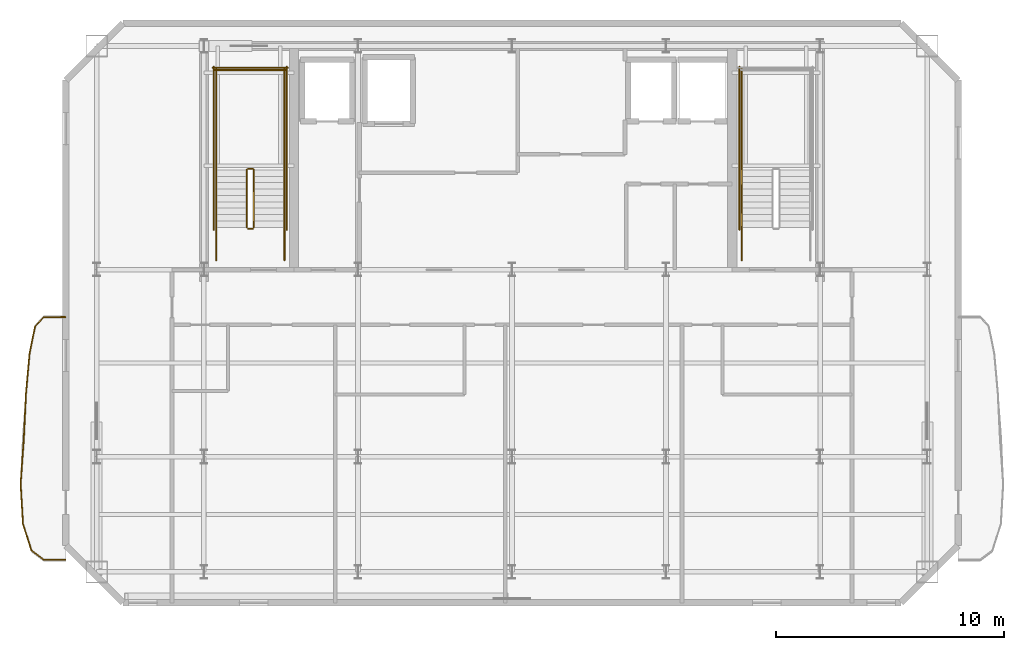
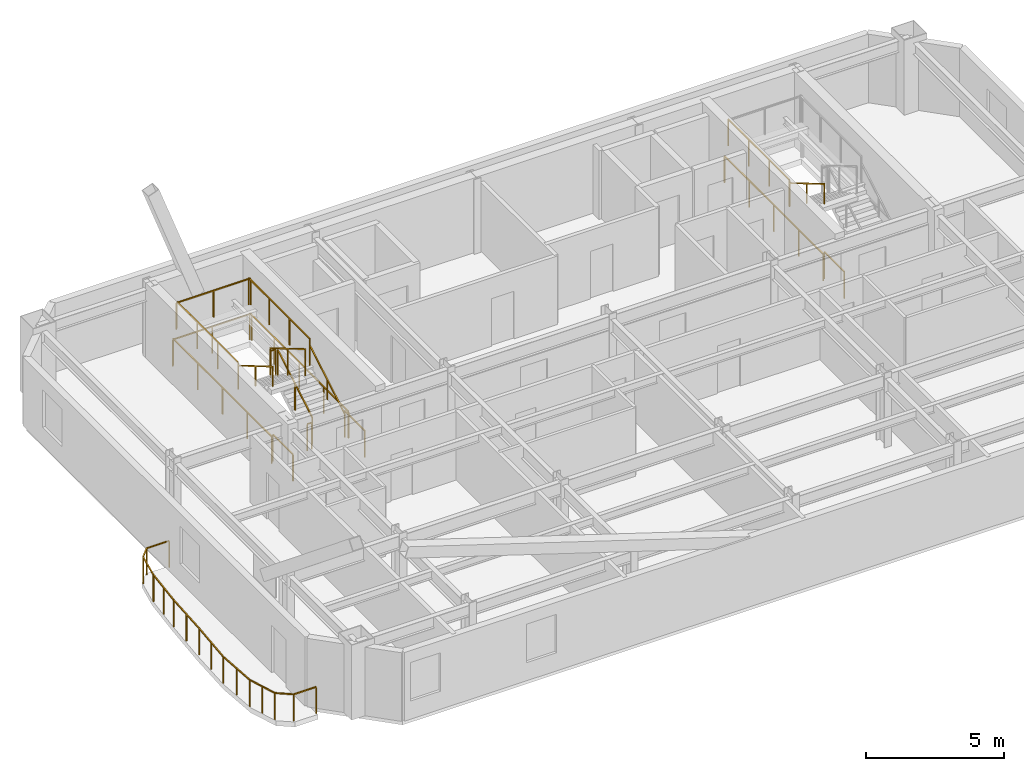
# One storey, part 5 of 6: 28 railings.
"""IFC4 building model written with IfcOpenShell, lengths in metres."""

from ifc_helpers import new_model, si_unit, direction, frame, origin, origin_2d, place, context, subcontext, project, spatial, rectangle, extrude, material, type_object, element, save


model = new_model("IFC4")

# Units and contexts
model_context = context("Model", 3, precision=1e-05, world=origin(), true_north=direction((0.0, 1.0)))
body_context = subcontext(model_context, "Body", "Model", "MODEL_VIEW")
ifc_project = project(units=[si_unit("LENGTHUNIT", "METRE"), si_unit("AREAUNIT", "SQUARE_METRE"), si_unit("VOLUMEUNIT", "CUBIC_METRE"), si_unit("PLANEANGLEUNIT", "RADIAN"), si_unit("MASSUNIT", "GRAM", prefix="KILO")], contexts=[model_context])

# Site, building, storey
site_placement = place(None, origin())
site = spatial("IfcSite", under=ifc_project, at=site_placement, CompositionType="ELEMENT")
building_placement = place(site_placement, origin())
building = spatial("IfcBuilding", under=site, at=building_placement, Name="Haevon Station Towers", CompositionType="ELEMENT")
storey_placement = place(building_placement, frame((0.0, 0.0, 262.5)))
storey = spatial("IfcBuildingStorey", under=building, at=storey_placement, Name="L73", CompositionType="ELEMENT", Elevation=262.5)

# Railings
ifc_material = material(Name="Steel S355", Category="steel")
railing_type_1 = type_object("IfcRailingType", Name="GRD-EXT1200", PredefinedType="GUARDRAIL", material=ifc_material)
railing_1_placement = place(storey_placement, frame((17.9267578125, 36.1220703125, 0.0)))
element("IfcRailing", 1, at=railing_1_placement, inside=storey, type_object=railing_type_1, Name="L73 Perimeter Guardrail 1", PredefinedType="GUARDRAIL", context=body_context, shape_type="SweptSolid", body=[
    extrude(rectangle(XDim=0.048095703125, YDim=0.048095703125, at=origin_2d()), frame((0.0, 0.0, 1.17578125), z_axis=(-0.999997857851, -0.002069853263, 0.0), x_axis=(0.002069853263, -0.999997857851, 0.0)), (0.0, 0.0, 1.0), 0.943603515625),
    extrude(rectangle(XDim=0.0419921875, YDim=0.0419921875, at=origin_2d()), origin(), (0.0, 0.0, 1.0), 1.15185546875),
    extrude(rectangle(XDim=0.0419921875, YDim=0.0419921875, at=origin_2d()), frame((-0.943603515625, -0.001953125, 0.0)), (0.0, 0.0, 1.0), 1.15185546875),
])
railing_2_placement = place(storey_placement, frame((16.983154296875, 36.1201171875, 0.0)))
element("IfcRailing", 2, at=railing_2_placement, inside=storey, type_object=railing_type_1, Name="L73 Perimeter Guardrail 2", PredefinedType="GUARDRAIL", context=body_context, shape_type="SweptSolid", body=[
    extrude(rectangle(XDim=0.048095703125, YDim=0.048095703125, at=origin_2d()), frame((0.0, 0.0, 1.17578125), z_axis=(-0.68353731977, -0.72991556531, 0.0), x_axis=(0.72991556531, -0.68353731977, 0.0)), (0.0, 0.0, 1.0), 0.563232421875),
    extrude(rectangle(XDim=0.0419921875, YDim=0.0419921875, at=origin_2d()), origin(), (0.0, 0.0, 1.0), 1.15185546875),
    extrude(rectangle(XDim=0.0419921875, YDim=0.0419921875, at=origin_2d()), frame((-0.385009765625, -0.4111328125, 0.0)), (0.0, 0.0, 1.0), 1.15185546875),
])
railing_3_placement = place(storey_placement, frame((16.59814453125, 35.708984375, 0.0)))
element("IfcRailing", 3, at=railing_3_placement, inside=storey, type_object=railing_type_1, Name="L73 Perimeter Guardrail 3", PredefinedType="GUARDRAIL", context=body_context, shape_type="SweptSolid", body=[
    extrude(rectangle(XDim=0.048095703125, YDim=0.048095703125, at=origin_2d()), frame((0.0, 0.0, 1.17578125), z_axis=(-0.201456907622, -0.97949737844, 0.0), x_axis=(0.97949737844, -0.201456907622, 0.0)), (0.0, 0.0, 1.0), 1.19482421875),
    extrude(rectangle(XDim=0.0419921875, YDim=0.0419921875, at=origin_2d()), origin(), (0.0, 0.0, 1.0), 1.15185546875),
    extrude(rectangle(XDim=0.0419921875, YDim=0.0419921875, at=origin_2d()), frame((-0.24072265625, -1.17041015625, 0.0)), (0.0, 0.0, 1.0), 1.15185546875),
])
railing_4_placement = place(storey_placement, frame((16.357421875, 34.53857421875, 0.0)))
element("IfcRailing", 4, at=railing_4_placement, inside=storey, type_object=railing_type_1, Name="L73 Perimeter Guardrail 4", PredefinedType="GUARDRAIL", context=body_context, shape_type="SweptSolid", body=[
    extrude(rectangle(XDim=0.048095703125, YDim=0.048095703125, at=origin_2d()), frame((0.0, 0.0, 1.17578125), z_axis=(-0.090184923828, -0.995925037096, 0.0), x_axis=(0.995925037096, -0.090184923828, 0.0)), (0.0, 0.0, 1.0), 1.7568359375),
    extrude(rectangle(XDim=0.0419921875, YDim=0.0419921875, at=origin_2d()), origin(), (0.0, 0.0, 1.0), 1.15185546875),
    extrude(rectangle(XDim=0.0419921875, YDim=0.0419921875, at=origin_2d()), frame((-0.0791015625, -0.875, 0.0)), (0.0, 0.0, 1.0), 1.15185546875),
    extrude(rectangle(XDim=0.0419921875, YDim=0.0419921875, at=origin_2d()), frame((-0.158447265625, -1.749755859375, 0.0)), (0.0, 0.0, 1.0), 1.15185546875),
])
railing_5_placement = place(storey_placement, frame((16.198974609375, 32.788818359375, 0.0)))
element("IfcRailing", 5, at=railing_5_placement, inside=storey, type_object=railing_type_1, Name="L73 Perimeter Guardrail 5", PredefinedType="GUARDRAIL", context=body_context, shape_type="SweptSolid", body=[
    extrude(rectangle(XDim=0.048095703125, YDim=0.048095703125, at=origin_2d()), frame((0.0, 0.0, 1.17578125), z_axis=(-0.047454457012, -0.998873402644, 0.0), x_axis=(0.998873402644, -0.047454457012, 0.0)), (0.0, 0.0, 1.0), 1.990966796875),
    extrude(rectangle(XDim=0.0419921875, YDim=0.0419921875, at=origin_2d()), origin(), (0.0, 0.0, 1.0), 1.15185546875),
    extrude(rectangle(XDim=0.0419921875, YDim=0.0419921875, at=origin_2d()), frame((-0.04736328125, -0.994384765625, 0.0)), (0.0, 0.0, 1.0), 1.15185546875),
    extrude(rectangle(XDim=0.0419921875, YDim=0.0419921875, at=origin_2d()), frame((-0.094482421875, -1.98876953125, 0.0)), (0.0, 0.0, 1.0), 1.15185546875),
])
railing_6_placement = place(storey_placement, frame((16.1044921875, 30.800048828125, 0.0)))
element("IfcRailing", 6, at=railing_6_placement, inside=storey, type_object=railing_type_1, Name="L73 Perimeter Guardrail 6", PredefinedType="GUARDRAIL", context=body_context, shape_type="SweptSolid", body=[
    extrude(rectangle(XDim=0.048095703125, YDim=0.048095703125, at=origin_2d()), frame((0.0, 0.0, 1.17578125), z_axis=(-0.070082284887, -0.997541213858, 0.0), x_axis=(0.997541213858, -0.070082284887, 0.0)), (0.0, 0.0, 1.0), 1.99609375),
    extrude(rectangle(XDim=0.0419921875, YDim=0.0419921875, at=origin_2d()), origin(), (0.0, 0.0, 1.0), 1.15185546875),
    extrude(rectangle(XDim=0.0419921875, YDim=0.0419921875, at=origin_2d()), frame((-0.06982421875, -0.99560546875, 0.0)), (0.0, 0.0, 1.0), 1.15185546875),
    extrude(rectangle(XDim=0.0419921875, YDim=0.0419921875, at=origin_2d()), frame((-0.139892578125, -1.9912109375, 0.0)), (0.0, 0.0, 1.0), 1.15185546875),
])
railing_7_placement = place(storey_placement, frame((15.964599609375, 28.808837890625, 0.0)))
element("IfcRailing", 7, at=railing_7_placement, inside=storey, type_object=railing_type_1, Name="L73 Perimeter Guardrail 7", PredefinedType="GUARDRAIL", context=body_context, shape_type="SweptSolid", body=[
    extrude(rectangle(XDim=0.048095703125, YDim=0.048095703125, at=origin_2d()), frame((0.0, 0.0, 1.17578125), z_axis=(0.057716779897, -0.99833299721, 0.0), x_axis=(0.99833299721, 0.057716779897, 0.0)), (0.0, 0.0, 1.0), 1.751220703125),
    extrude(rectangle(XDim=0.0419921875, YDim=0.0419921875, at=origin_2d()), origin(), (0.0, 0.0, 1.0), 1.15185546875),
    extrude(rectangle(XDim=0.0419921875, YDim=0.0419921875, at=origin_2d()), frame((0.050537109375, -0.8740234375, 0.0)), (0.0, 0.0, 1.0), 1.15185546875),
    extrude(rectangle(XDim=0.0419921875, YDim=0.0419921875, at=origin_2d()), frame((0.10107421875, -1.748291015625, 0.0)), (0.0, 0.0, 1.0), 1.15185546875),
])
railing_8_placement = place(storey_placement, frame((16.065673828125, 27.060546875, 0.0)))
element("IfcRailing", 8, at=railing_8_placement, inside=storey, type_object=railing_type_1, Name="L73 Perimeter Guardrail 8", PredefinedType="GUARDRAIL", context=body_context, shape_type="SweptSolid", body=[
    extrude(rectangle(XDim=0.048095703125, YDim=0.048095703125, at=origin_2d()), frame((0.0, 0.0, 1.17578125), z_axis=(0.303310377939, -0.952891816858, 0.0), x_axis=(0.952891816858, 0.303310377939, 0.0)), (0.0, 0.0, 1.0), 1.2275390625),
    extrude(rectangle(XDim=0.0419921875, YDim=0.0419921875, at=origin_2d()), origin(), (0.0, 0.0, 1.0), 1.15185546875),
    extrude(rectangle(XDim=0.0419921875, YDim=0.0419921875, at=origin_2d()), frame((0.18603515625, -0.5849609375, 0.0)), (0.0, 0.0, 1.0), 1.15185546875),
    extrude(rectangle(XDim=0.0419921875, YDim=0.0419921875, at=origin_2d()), frame((0.372314453125, -1.169677734375, 0.0)), (0.0, 0.0, 1.0), 1.15185546875),
])
railing_9_placement = place(storey_placement, frame((16.43798828125, 25.890869140625, 0.0)))
element("IfcRailing", 9, at=railing_9_placement, inside=storey, type_object=railing_type_1, Name="L73 Perimeter Guardrail 9", PredefinedType="GUARDRAIL", context=body_context, shape_type="SweptSolid", body=[
    extrude(rectangle(XDim=0.048095703125, YDim=0.048095703125, at=origin_2d()), frame((0.0, 0.0, 1.17578125), z_axis=(0.79858156775, -0.601886600324, 0.0), x_axis=(0.601886600324, 0.79858156775, 0.0)), (0.0, 0.0, 1.0), 0.6826171875),
    extrude(rectangle(XDim=0.0419921875, YDim=0.0419921875, at=origin_2d()), origin(), (0.0, 0.0, 1.0), 1.15185546875),
    extrude(rectangle(XDim=0.0419921875, YDim=0.0419921875, at=origin_2d()), frame((0.545166015625, -0.410888671875, 0.0)), (0.0, 0.0, 1.0), 1.15185546875),
])
railing_10_placement = place(storey_placement, frame((16.983154296875, 25.47998046875, 0.0)))
element("IfcRailing", 10, at=railing_10_placement, inside=storey, type_object=railing_type_1, Name="L73 Perimeter Guardrail 10", PredefinedType="GUARDRAIL", context=body_context, shape_type="SweptSolid", body=[
    extrude(rectangle(XDim=0.048095703125, YDim=0.048095703125, at=origin_2d()), frame((0.0, 0.0, 1.17578125), z_axis=(0.999997288846, -0.002328583596, 0.0), x_axis=(0.002328583596, 0.999997288846, 0.0)), (0.0, 0.0, 1.0), 0.943603515625),
    extrude(rectangle(XDim=0.0419921875, YDim=0.0419921875, at=origin_2d()), origin(), (0.0, 0.0, 1.0), 1.15185546875),
    extrude(rectangle(XDim=0.0419921875, YDim=0.0419921875, at=origin_2d()), frame((0.943603515625, -0.002197265625, 0.0)), (0.0, 0.0, 1.0), 1.15185546875),
])
railing_type_2 = type_object("IfcRailingType", Name="GRD-STR1200", PredefinedType="GUARDRAIL", material=ifc_material)
railing_11_placement = place(storey_placement, frame((26.179931640625, 40.050048828125, 0.1650390625)))
element("IfcRailing", 11, at=railing_11_placement, inside=storey, type_object=railing_type_2, Name="L73 ST1 Stair Guard 1", PredefinedType="GUARDRAIL", context=body_context, shape_type="SweptSolid", body=[
    extrude(rectangle(XDim=0.048095703125, YDim=0.048095703125, at=origin_2d()), frame((0.0, 0.0, 1.17578125), z_axis=(0.0, 0.861560626758, 0.507654692109), x_axis=(-1.0, 0.0, 0.0)), (0.0, 0.0, 1.0), 2.925048828125),
    extrude(rectangle(XDim=0.0419921875, YDim=0.0419921875, at=origin_2d()), origin(), (0.0, 0.0, 1.0), 1.15185546875),
    extrude(rectangle(XDim=0.0419921875, YDim=0.0419921875, at=origin_2d()), frame((0.0, 1.260009765625, 0.742431640625)), (0.0, 0.0, 1.0), 1.15185546875),
    extrude(rectangle(XDim=0.0419921875, YDim=0.0419921875, at=origin_2d()), frame((0.0, 2.52001953125, 1.48486328125)), (0.0, 0.0, 1.0), 1.15185546875),
])
railing_12_placement = place(storey_placement, frame((26.1298828125, 42.6201171875, 1.64990234375)))
element("IfcRailing", 12, at=railing_12_placement, inside=storey, type_object=railing_type_2, Name="L73 ST1 Stair Guard 2", PredefinedType="GUARDRAIL", context=body_context, shape_type="SweptSolid", body=[
    extrude(rectangle(XDim=0.048095703125, YDim=0.048095703125, at=origin_2d()), frame((0.0, 0.0, 1.17578125), z_axis=(-1.0, 0.0, 0.0), x_axis=(0.0, -1.0, 0.0)), (0.0, 0.0, 1.0), 0.199951171875),
    extrude(rectangle(XDim=0.0419921875, YDim=0.0419921875, at=origin_2d()), origin(), (0.0, 0.0, 1.0), 1.15185546875),
    extrude(rectangle(XDim=0.0419921875, YDim=0.0419921875, at=origin_2d()), frame((-0.199951171875, 0.0, 0.0)), (0.0, 0.0, 1.0), 1.15185546875),
])
for number, where, name in (
    (13, (27.530029296875, 42.570068359375, 1.64990234375), "L73 ST1 Stair Guard 3"),
    (14, (24.530029296875, 42.570068359375, 1.64990234375), "L73 ST1 Stair Guard 4"),
):
    element("IfcRailing", number, at=place(storey_placement, frame(where)), inside=storey, type_object=railing_type_2, Name=name, PredefinedType="GUARDRAIL", context=body_context, shape_type="SweptSolid", body=[
        extrude(rectangle(XDim=0.048095703125, YDim=0.048095703125, at=origin_2d()), frame((0.0, 0.0, 1.17578125), z_axis=(0.0, 1.0, 0.0), x_axis=(-1.0, 0.0, 0.0)), (0.0, 0.0, 1.0), 4.429931640625),
        extrude(rectangle(XDim=0.0419921875, YDim=0.0419921875, at=origin_2d()), origin(), (0.0, 0.0, 1.0), 1.15185546875),
        extrude(rectangle(XDim=0.0419921875, YDim=0.0419921875, at=origin_2d()), frame((0.0, 1.4765625, 0.0)), (0.0, 0.0, 1.0), 1.15185546875),
        extrude(rectangle(XDim=0.0419921875, YDim=0.0419921875, at=origin_2d()), frame((0.0, 2.953369140625, 0.0)), (0.0, 0.0, 1.0), 1.15185546875),
        extrude(rectangle(XDim=0.0419921875, YDim=0.0419921875, at=origin_2d()), frame((0.0, 4.429931640625, 0.0)), (0.0, 0.0, 1.0), 1.15185546875),
    ])
railing_13_placement = place(storey_placement, frame((27.580078125, 46.949951171875, 1.64990234375)))
element("IfcRailing", 15, at=railing_13_placement, inside=storey, type_object=railing_type_2, Name="L73 ST1 Stair Guard 5", PredefinedType="GUARDRAIL", context=body_context, shape_type="SweptSolid", body=[
    extrude(rectangle(XDim=0.048095703125, YDim=0.048095703125, at=origin_2d()), frame((0.0, 0.0, 1.17578125), z_axis=(-1.0, 0.0, 0.0), x_axis=(0.0, -1.0, 0.0)), (0.0, 0.0, 1.0), 3.10009765625),
    extrude(rectangle(XDim=0.0419921875, YDim=0.0419921875, at=origin_2d()), origin(), (0.0, 0.0, 1.0), 1.15185546875),
    extrude(rectangle(XDim=0.0419921875, YDim=0.0419921875, at=origin_2d()), frame((-1.550048828125, 0.0, 0.0)), (0.0, 0.0, 1.0), 1.15185546875),
    extrude(rectangle(XDim=0.0419921875, YDim=0.0419921875, at=origin_2d()), frame((-3.10009765625, 0.0, 0.0)), (0.0, 0.0, 1.0), 1.15185546875),
])
railing_14_placement = place(storey_placement, frame((25.8798828125, 42.570068359375, 1.81494140625)))
element("IfcRailing", 16, at=railing_14_placement, inside=storey, type_object=railing_type_2, Name="L73 ST1 Stair Guard 6", PredefinedType="GUARDRAIL", context=body_context, shape_type="SweptSolid", body=[
    extrude(rectangle(XDim=0.048095703125, YDim=0.048095703125, at=origin_2d()), frame((0.0, 0.0, 1.17578125), z_axis=(0.0, -0.86152411907, 0.507716645641), x_axis=(1.0, 0.0, 0.0)), (0.0, 0.0, 1.0), 2.925048828125),
    extrude(rectangle(XDim=0.0419921875, YDim=0.0419921875, at=origin_2d()), origin(), (0.0, 0.0, 1.0), 1.15185546875),
    extrude(rectangle(XDim=0.0419921875, YDim=0.0419921875, at=origin_2d()), frame((0.0, -1.260009765625, 0.74267578125)), (0.0, 0.0, 1.0), 1.15185546875),
    extrude(rectangle(XDim=0.0419921875, YDim=0.0419921875, at=origin_2d()), frame((0.0, -2.52001953125, 1.485107421875)), (0.0, 0.0, 1.0), 1.15185546875),
])
railing_15_placement = place(storey_placement, frame((26.1298828125, 40.0, 0.0)))
element("IfcRailing", 17, at=railing_15_placement, inside=storey, type_object=railing_type_2, Name="L73 ST1 Stair Guard 7", PredefinedType="GUARDRAIL", context=body_context, shape_type="SweptSolid", body=[
    extrude(rectangle(XDim=0.048095703125, YDim=0.048095703125, at=origin_2d()), frame((0.0, 0.0, 1.17578125), z_axis=(-1.0, 0.0, 0.0), x_axis=(0.0, -1.0, 0.0)), (0.0, 0.0, 1.0), 0.199951171875),
    extrude(rectangle(XDim=0.0419921875, YDim=0.0419921875, at=origin_2d()), origin(), (0.0, 0.0, 1.0), 1.15185546875),
    extrude(rectangle(XDim=0.0419921875, YDim=0.0419921875, at=origin_2d()), frame((-0.199951171875, 0.0, 0.0)), (0.0, 0.0, 1.0), 1.15185546875),
])
for number, where, name in (
    (18, (27.530029296875, 38.60009765625, 0.0), "L73 ST1 Stair Guard 8"),
    (19, (24.530029296875, 38.60009765625, 0.0), "L73 ST1 Stair Guard 9"),
):
    element("IfcRailing", number, at=place(storey_placement, frame(where)), inside=storey, type_object=railing_type_2, Name=name, PredefinedType="GUARDRAIL", context=body_context, shape_type="SweptSolid", body=[
        extrude(rectangle(XDim=0.048095703125, YDim=0.048095703125, at=origin_2d()), frame((0.0, 0.0, 1.17578125), z_axis=(0.0, 1.0, 0.0), x_axis=(-1.0, 0.0, 0.0)), (0.0, 0.0, 1.0), 1.449951171875),
        extrude(rectangle(XDim=0.0419921875, YDim=0.0419921875, at=origin_2d()), origin(), (0.0, 0.0, 1.0), 1.15185546875),
        extrude(rectangle(XDim=0.0419921875, YDim=0.0419921875, at=origin_2d()), frame((0.0, 1.449951171875, 0.0)), (0.0, 0.0, 1.0), 1.15185546875),
    ])
for number, where, name in (
    (20, (27.6298828125, 39.949951171875, 0.0), "L73 ST1 Stair Guard 10"),
    (21, (24.429931640625, 39.949951171875, 0.0), "L73 ST1 Stair Guard 11"),
):
    element("IfcRailing", number, at=place(storey_placement, frame(where)), inside=storey, type_object=railing_type_2, Name=name, PredefinedType="GUARDRAIL", context=body_context, shape_type="SweptSolid", body=[
        extrude(rectangle(XDim=0.048095703125, YDim=0.048095703125, at=origin_2d()), frame((0.0, 0.0, 1.17578125), z_axis=(0.0, 1.0, 0.0), x_axis=(-1.0, 0.0, 0.0)), (0.0, 0.0, 1.0), 7.150146484375),
        extrude(rectangle(XDim=0.0419921875, YDim=0.0419921875, at=origin_2d()), origin(), (0.0, 0.0, 1.0), 1.15185546875),
        extrude(rectangle(XDim=0.0419921875, YDim=0.0419921875, at=origin_2d()), frame((0.0, 1.78759765625, 0.0)), (0.0, 0.0, 1.0), 1.15185546875),
        extrude(rectangle(XDim=0.0419921875, YDim=0.0419921875, at=origin_2d()), frame((0.0, 3.5751953125, 0.0)), (0.0, 0.0, 1.0), 1.15185546875),
        extrude(rectangle(XDim=0.0419921875, YDim=0.0419921875, at=origin_2d()), frame((0.0, 5.362548828125, 0.0)), (0.0, 0.0, 1.0), 1.15185546875),
        extrude(rectangle(XDim=0.0419921875, YDim=0.0419921875, at=origin_2d()), frame((0.0, 7.150146484375, 0.0)), (0.0, 0.0, 1.0), 1.15185546875),
    ])
railing_16_placement = place(storey_placement, frame((27.679931640625, 47.050048828125, 0.0)))
element("IfcRailing", 22, at=railing_16_placement, inside=storey, type_object=railing_type_2, Name="L73 ST1 Stair Guard 12", PredefinedType="GUARDRAIL", context=body_context, shape_type="SweptSolid", body=[
    extrude(rectangle(XDim=0.048095703125, YDim=0.048095703125, at=origin_2d()), frame((0.0, 0.0, 1.17578125), z_axis=(-1.0, 0.0, 0.0), x_axis=(0.0, -1.0, 0.0)), (0.0, 0.0, 1.0), 3.300048828125),
    extrude(rectangle(XDim=0.0419921875, YDim=0.0419921875, at=origin_2d()), origin(), (0.0, 0.0, 1.0), 1.15185546875),
    extrude(rectangle(XDim=0.0419921875, YDim=0.0419921875, at=origin_2d()), frame((-1.64990234375, 0.0, 0.0)), (0.0, 0.0, 1.0), 1.15185546875),
    extrude(rectangle(XDim=0.0419921875, YDim=0.0419921875, at=origin_2d()), frame((-3.300048828125, 0.0, 0.0)), (0.0, 0.0, 1.0), 1.15185546875),
])
railing_17_placement = place(storey_placement, frame((47.570068359375, 42.570068359375, 1.64990234375)))
element("IfcRailing", 23, at=railing_17_placement, inside=storey, type_object=railing_type_2, Name="L73 ST2 Stair Guard 4", PredefinedType="GUARDRAIL", context=body_context, shape_type="SweptSolid", body=[
    extrude(rectangle(XDim=0.048095703125, YDim=0.048095703125, at=origin_2d()), frame((0.0, 0.0, 1.17578125), z_axis=(0.0, 1.0, 0.0), x_axis=(-1.0, 0.0, 0.0)), (0.0, 0.0, 1.0), 4.429931640625),
    extrude(rectangle(XDim=0.0419921875, YDim=0.0419921875, at=origin_2d()), origin(), (0.0, 0.0, 1.0), 1.15185546875),
    extrude(rectangle(XDim=0.0419921875, YDim=0.0419921875, at=origin_2d()), frame((0.0, 1.4765625, 0.0)), (0.0, 0.0, 1.0), 1.15185546875),
    extrude(rectangle(XDim=0.0419921875, YDim=0.0419921875, at=origin_2d()), frame((0.0, 2.953369140625, 0.0)), (0.0, 0.0, 1.0), 1.15185546875),
    extrude(rectangle(XDim=0.0419921875, YDim=0.0419921875, at=origin_2d()), frame((0.0, 4.429931640625, 0.0)), (0.0, 0.0, 1.0), 1.15185546875),
])
railing_18_placement = place(storey_placement, frame((47.570068359375, 38.60009765625, 0.0)))
element("IfcRailing", 24, at=railing_18_placement, inside=storey, type_object=railing_type_2, Name="L73 ST2 Stair Guard 9", PredefinedType="GUARDRAIL", context=body_context, shape_type="SweptSolid", body=[
    extrude(rectangle(XDim=0.048095703125, YDim=0.048095703125, at=origin_2d()), frame((0.0, 0.0, 1.17578125), z_axis=(0.0, 1.0, 0.0), x_axis=(-1.0, 0.0, 0.0)), (0.0, 0.0, 1.0), 1.449951171875),
    extrude(rectangle(XDim=0.0419921875, YDim=0.0419921875, at=origin_2d()), origin(), (0.0, 0.0, 1.0), 1.15185546875),
    extrude(rectangle(XDim=0.0419921875, YDim=0.0419921875, at=origin_2d()), frame((0.0, 1.449951171875, 0.0)), (0.0, 0.0, 1.0), 1.15185546875),
])
railing_19_placement = place(storey_placement, frame((47.469970703125, 39.949951171875, 0.0)))
element("IfcRailing", 25, at=railing_19_placement, inside=storey, type_object=railing_type_2, Name="L73 ST2 Stair Guard 11", PredefinedType="GUARDRAIL", context=body_context, shape_type="SweptSolid", body=[
    extrude(rectangle(XDim=0.048095703125, YDim=0.048095703125, at=origin_2d()), frame((0.0, 0.0, 1.17578125), z_axis=(0.0, 1.0, 0.0), x_axis=(-1.0, 0.0, 0.0)), (0.0, 0.0, 1.0), 7.150146484375),
    extrude(rectangle(XDim=0.0419921875, YDim=0.0419921875, at=origin_2d()), origin(), (0.0, 0.0, 1.0), 1.15185546875),
    extrude(rectangle(XDim=0.0419921875, YDim=0.0419921875, at=origin_2d()), frame((0.0, 1.78759765625, 0.0)), (0.0, 0.0, 1.0), 1.15185546875),
    extrude(rectangle(XDim=0.0419921875, YDim=0.0419921875, at=origin_2d()), frame((0.0, 3.5751953125, 0.0)), (0.0, 0.0, 1.0), 1.15185546875),
    extrude(rectangle(XDim=0.0419921875, YDim=0.0419921875, at=origin_2d()), frame((0.0, 5.362548828125, 0.0)), (0.0, 0.0, 1.0), 1.15185546875),
    extrude(rectangle(XDim=0.0419921875, YDim=0.0419921875, at=origin_2d()), frame((0.0, 7.150146484375, 0.0)), (0.0, 0.0, 1.0), 1.15185546875),
])
railing_type_3 = type_object("IfcRailingType", Name="HND-STR900", PredefinedType="HANDRAIL", material=ifc_material)
railing_20_placement = place(storey_placement, frame((27.530029296875, 40.050048828125, 0.1650390625)))
element("IfcRailing", 26, at=railing_20_placement, inside=storey, type_object=railing_type_3, Name="L73 ST1 Stair Handrail 1", PredefinedType="HANDRAIL", context=body_context, shape_type="SweptSolid", body=[
    extrude(rectangle(XDim=0.048095703125, YDim=0.048095703125, at=origin_2d()), frame((0.0, 0.0, 0.8759765625), z_axis=(0.0, 0.861560626758, 0.507654692109), x_axis=(-1.0, 0.0, 0.0)), (0.0, 0.0, 1.0), 2.925048828125),
    extrude(rectangle(XDim=0.0419921875, YDim=0.0419921875, at=origin_2d()), origin(), (0.0, 0.0, 1.0), 0.851806640625),
    extrude(rectangle(XDim=0.0419921875, YDim=0.0419921875, at=origin_2d()), frame((0.0, 1.260009765625, 0.742431640625)), (0.0, 0.0, 1.0), 0.851806640625),
    extrude(rectangle(XDim=0.0419921875, YDim=0.0419921875, at=origin_2d()), frame((0.0, 2.52001953125, 1.48486328125)), (0.0, 0.0, 1.0), 0.851806640625),
])
for number, where, name in (
    (27, (24.530029296875, 42.570068359375, 1.81494140625), "L73 ST1 Stair Handrail 2"),
    (28, (47.570068359375, 42.570068359375, 1.81494140625), "L73 ST2 Stair Handrail 2"),
):
    element("IfcRailing", number, at=place(storey_placement, frame(where)), inside=storey, type_object=railing_type_3, Name=name, PredefinedType="HANDRAIL", context=body_context, shape_type="SweptSolid", body=[
        extrude(rectangle(XDim=0.048095703125, YDim=0.048095703125, at=origin_2d()), frame((0.0, 0.0, 0.8759765625), z_axis=(0.0, -0.86152411907, 0.507716645641), x_axis=(1.0, 0.0, 0.0)), (0.0, 0.0, 1.0), 2.925048828125),
        extrude(rectangle(XDim=0.0419921875, YDim=0.0419921875, at=origin_2d()), origin(), (0.0, 0.0, 1.0), 0.851806640625),
        extrude(rectangle(XDim=0.0419921875, YDim=0.0419921875, at=origin_2d()), frame((0.0, -1.260009765625, 0.74267578125)), (0.0, 0.0, 1.0), 0.851806640625),
        extrude(rectangle(XDim=0.0419921875, YDim=0.0419921875, at=origin_2d()), frame((0.0, -2.52001953125, 1.485107421875)), (0.0, 0.0, 1.0), 0.851806640625),
    ])

save(model, "model.ifc")
